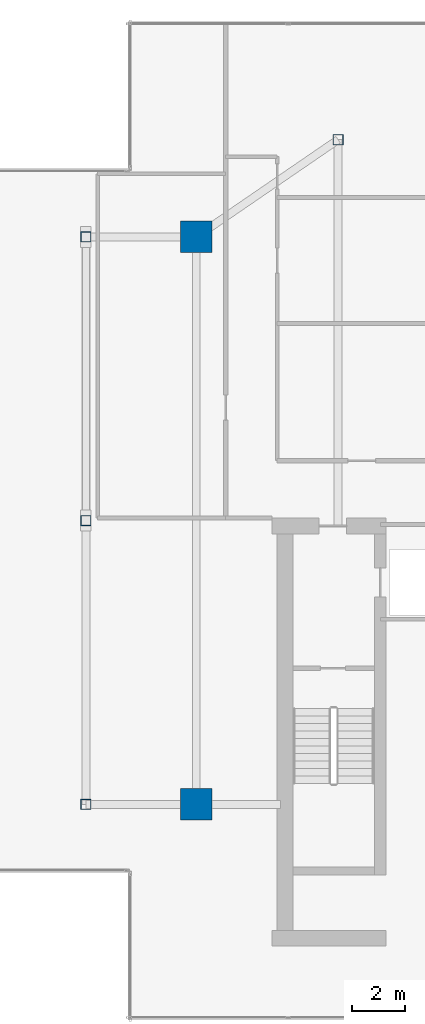
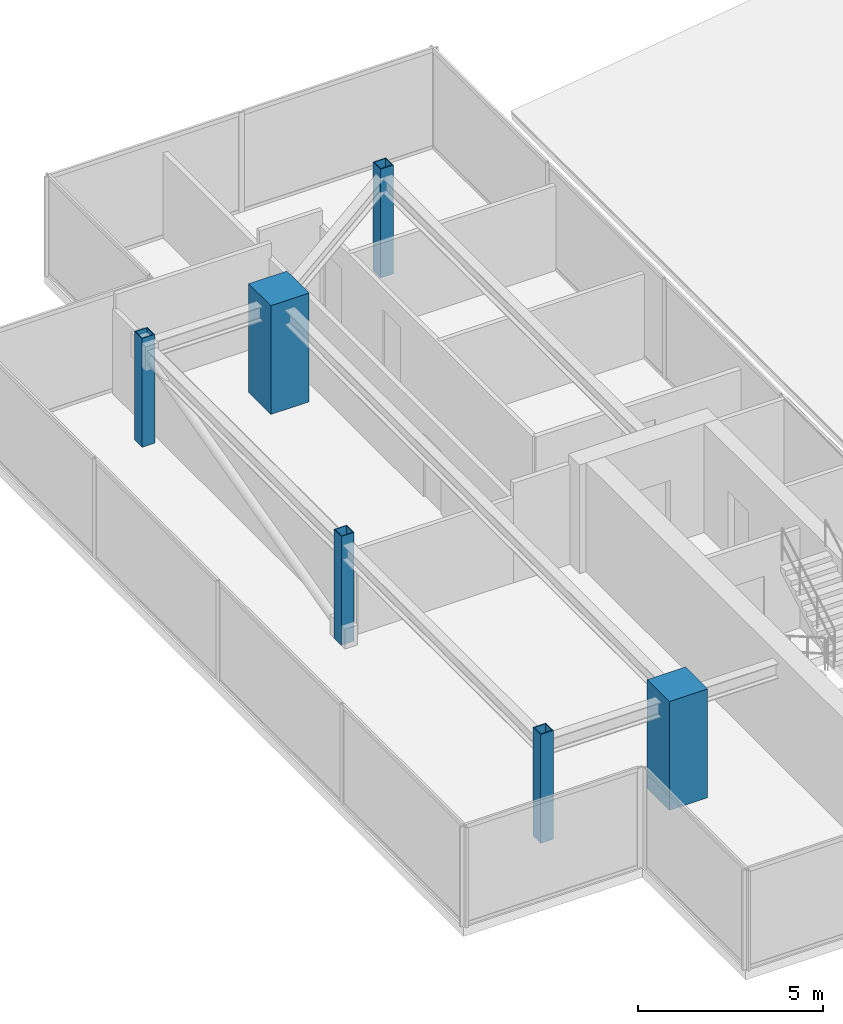
# One storey, part 1 of 16: 6 columns.
"""IFC4 building model written with IfcOpenShell, lengths in metres."""

from ifc_helpers import new_model, si_unit, direction, frame, origin, origin_2d, place, context, subcontext, project, spatial, rectangle, hollow_rectangle, extrude, source, transform, mapped, material, material_profile, profile_set, type_object, type_shapes, element, save


model = new_model("IFC4")

# Units and contexts
model_context = context("Model", 3, precision=1e-05, world=origin(), true_north=direction((0.0, 1.0)))
body_context = subcontext(model_context, "Body", "Model", "MODEL_VIEW")
ifc_project = project(units=[si_unit("LENGTHUNIT", "METRE"), si_unit("AREAUNIT", "SQUARE_METRE"), si_unit("VOLUMEUNIT", "CUBIC_METRE"), si_unit("PLANEANGLEUNIT", "RADIAN"), si_unit("MASSUNIT", "GRAM", prefix="KILO")], contexts=[model_context])

# Site, building, storey
site_placement = place(None, origin())
site = spatial("IfcSite", under=ifc_project, at=site_placement, CompositionType="ELEMENT")
building_placement = place(site_placement, origin())
building = spatial("IfcBuilding", under=site, at=building_placement, Name="Krantzveldt Concourse Tower", CompositionType="ELEMENT")
storey_placement = place(building_placement, frame((0.0, 0.0, 378.25)))
storey = spatial("IfcBuildingStorey", under=building, at=storey_placement, Name="L93", CompositionType="ELEMENT", Elevation=378.25)

# Columns
ifc_material_1 = material(Name="Concrete C50/60", Category="concrete")
ifc_material_profile_1 = material_profile(ifc_material_1, rectangle(XDim=1.199951171875, YDim=1.199951171875, at=origin_2d()), Name="Concrete C50/60", Category="concrete")
ifc_profile_set_1 = profile_set([ifc_material_profile_1], Name="Concrete C50/60 - RC 1200x1200")
column_type_1 = type_object("IfcColumnType", Name="COL-MC-1200", PredefinedType="USERDEFINED", material=ifc_profile_set_1)
shared_shape_1 = source(origin(), body_context, "Body", "SweptSolid", [
    extrude(rectangle(XDim=1.199951171875, YDim=1.199951171875, at=origin_2d()), origin(), (0.0, 0.0, 1.0), 3.60009765625),
])
type_shapes(column_type_1, [shared_shape_1])
for number, where, z_axis, x_axis, name in (
    (1, (25.199951171875, 15.89990234375, 0.0), (0.0, 0.0, 1.0), (1.0, 0.0, 0.0), "MC-SW-L93"),
    (2, (25.199951171875, 37.5, 0.0), (0.0, 0.0, 1.0), (1.0, 0.0, 0.0), "MC-NW-L93"),
):
    element("IfcColumn", number, at=place(storey_placement, frame(where, z_axis=z_axis, x_axis=x_axis)), inside=storey, type_object=column_type_1, Name=name, ObjectType="MEGA COLUMN", PredefinedType="USERDEFINED", context=body_context, shape_type="MappedRepresentation", body=[
        mapped(shared_shape_1, transform((0.0, 0.0, 0.0), x_axis=(1.0, 0.0, 0.0), y_axis=(0.0, 1.0, 0.0), z_axis=(0.0, 0.0, 1.0), scale=1.0)),
    ])
ifc_material_2 = material(Name="Steel S355J2", Category="steel")
ifc_material_profile_2 = material_profile(ifc_material_2, hollow_rectangle(XDim=0.39990234375, YDim=0.39990234375, WallThickness=0.02490234375, at=origin_2d()), Name="Steel S355J2", Category="steel")
ifc_profile_set_2 = profile_set([ifc_material_profile_2], Name="Steel S355J2 - SHS 400x400x25")
column_type_2 = type_object("IfcColumnType", Name="COL-SC-SHS400", PredefinedType="COLUMN", material=ifc_profile_set_2)
shared_shape_2 = source(origin(), body_context, "Body", "SweptSolid", [
    extrude(hollow_rectangle(XDim=0.39990234375, YDim=0.39990234375, WallThickness=0.02490234375, at=origin_2d()), origin(), (0.0, 0.0, 1.0), 3.60009765625),
])
type_shapes(column_type_2, [shared_shape_2])
for number, where, z_axis, x_axis, name in (
    (3, (21.0, 15.89990234375, 0.0), (0.0, 0.0, 1.0), (1.0, 0.0, 0.0), "CC-L93-W1"),
    (4, (21.0, 26.699951171875, 0.0), (0.0, 0.0, 1.0), (1.0, 0.0, 0.0), "CC-L93-W2"),
    (5, (21.0, 37.5, 0.0), (0.0, 0.0, 1.0), (1.0, 0.0, 0.0), "CC-L93-W3"),
    (6, (30.60009765625, 41.199951171875, 0.0), (0.0, 0.0, 1.0), (1.0, 0.0, 0.0), "CC-L93-W4"),
):
    element("IfcColumn", number, at=place(storey_placement, frame(where, z_axis=z_axis, x_axis=x_axis)), inside=storey, type_object=column_type_2, Name=name, PredefinedType="COLUMN", context=body_context, shape_type="MappedRepresentation", body=[
        mapped(shared_shape_2, transform((0.0, 0.0, 0.0), x_axis=(1.0, 0.0, 0.0), y_axis=(0.0, 1.0, 0.0), z_axis=(0.0, 0.0, 1.0), scale=1.0)),
    ])

save(model, "model.ifc")
